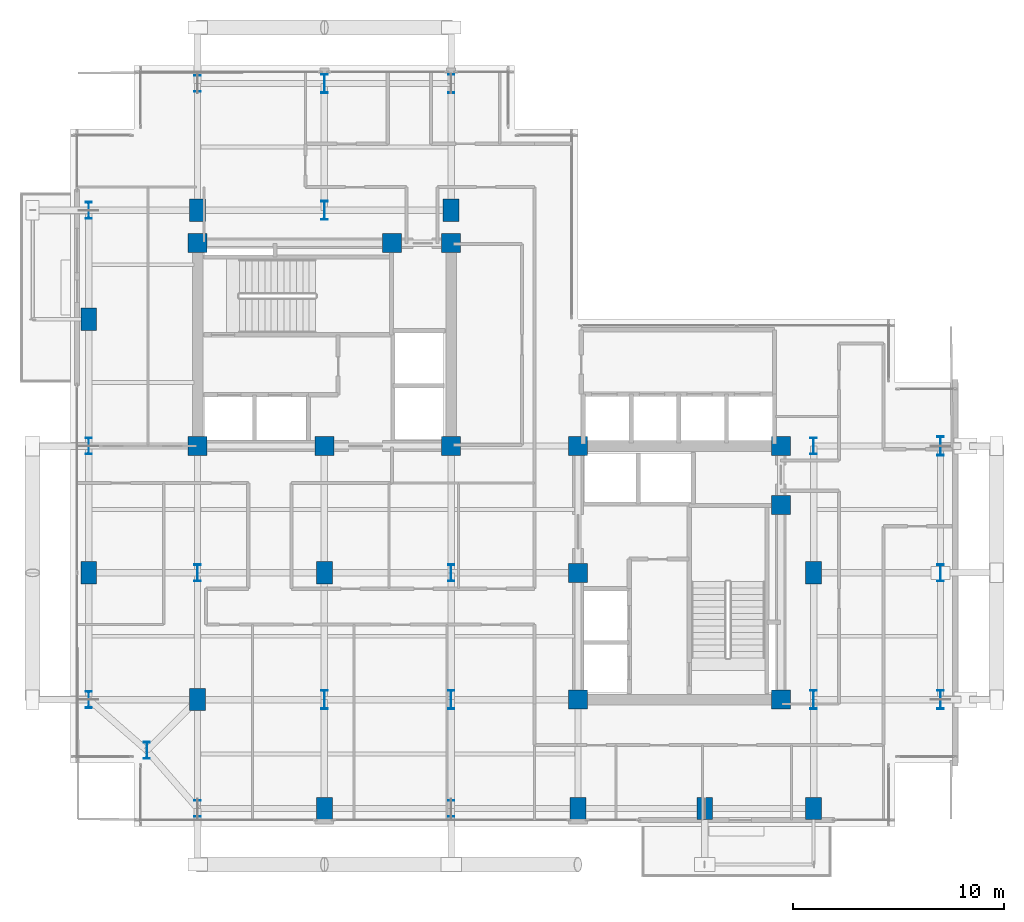
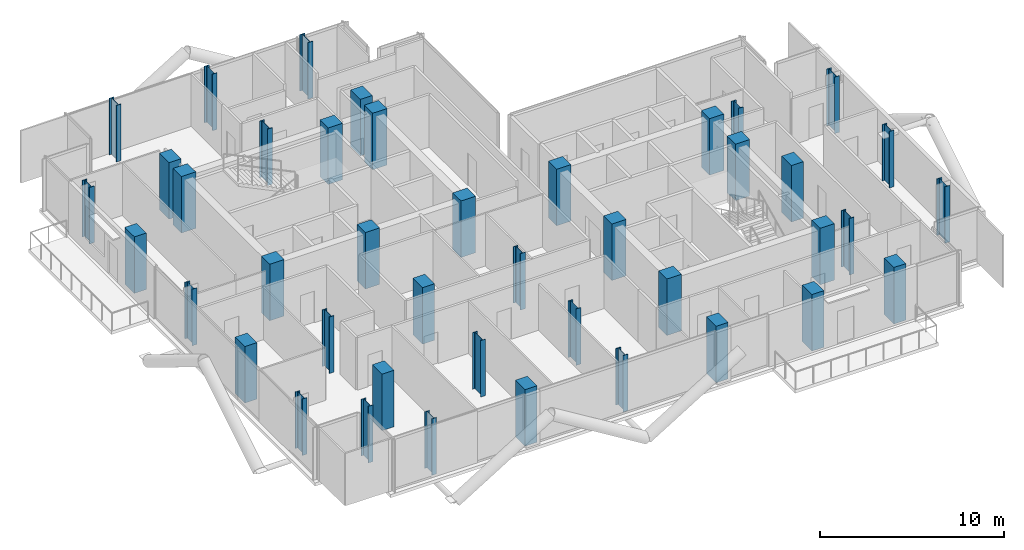
# One storey, part 1 of 26: 42 columns.
"""IFC4 building model written with IfcOpenShell, lengths in metres."""

from ifc_helpers import new_model, si_unit, direction, frame, origin, origin_2d, place, context, subcontext, project, spatial, rectangle, i_section, extrude, material, material_profile, profile_set, type_object, element, save


model = new_model("IFC4")

# Units and contexts
model_context = context("Model", 3, precision=1e-05, world=origin(), true_north=direction((0.0, 1.0)))
body_context = subcontext(model_context, "Body", "Model", "MODEL_VIEW")
ifc_project = project(units=[si_unit("LENGTHUNIT", "METRE"), si_unit("AREAUNIT", "SQUARE_METRE"), si_unit("VOLUMEUNIT", "CUBIC_METRE"), si_unit("PLANEANGLEUNIT", "RADIAN"), si_unit("MASSUNIT", "GRAM", prefix="KILO"), si_unit("THERMODYNAMICTEMPERATUREUNIT", "KELVIN"), si_unit("POWERUNIT", "WATT")], contexts=[model_context])

# Site, building, storey
site_placement = place(None, origin())
site = spatial("IfcSite", under=ifc_project, at=site_placement, CompositionType="ELEMENT")
building_placement = place(site_placement, origin())
building = spatial("IfcBuilding", under=site, at=building_placement, Name="Svarakhadi Broadcast Tower", CompositionType="ELEMENT")
storey_placement = place(building_placement, frame((0.0, 0.0, 195.449951171875)))
storey = spatial("IfcBuildingStorey", under=building, at=storey_placement, Name="L48", CompositionType="ELEMENT", Elevation=195.449951171875)

# Columns
ifc_material_1 = material(Name="Concrete C50/60 (IS 456 M60)", Category="concrete")
ifc_material_profile_1 = material_profile(ifc_material_1, rectangle(XDim=0.75, YDim=1.050048828125, at=origin_2d()), Name="RC 750x1050")
ifc_profile_set_1 = profile_set([ifc_material_profile_1], Name="Concrete C50/60 (IS 456 M60)")
column_type_1 = type_object("IfcColumnType", Name="Col_RC750", PredefinedType="COLUMN", material=ifc_profile_set_1)
for number, where, z_axis, x_axis, name in (
    (1, (0.85009765625, 12.0, 0.0), (0.0, 0.0, 1.0), (1.0, 0.0, 0.0), "L48 Column G04"),
    (2, (0.85009765625, 24.0, 0.0), (0.0, 0.0, 1.0), (1.0, 0.0, 0.0), "L48 Column G06"),
    (3, (6.0, 6.0, 0.0), (0.0, 0.0, 1.0), (1.0, 0.0, 0.0), "L48 Column G12"),
    (4, (6.0, 29.14990234375, 0.0), (0.0, 0.0, 1.0), (1.0, 0.0, 0.0), "L48 Column G14"),
    (5, (12.0, 0.85009765625, 0.0), (0.0, 0.0, 1.0), (1.0, 0.0, 0.0), "L48 Column G18"),
    (6, (12.0, 12.0, 0.0), (0.0, 0.0, 1.0), (1.0, 0.0, 0.0), "L48 Column G20"),
    (7, (18.0, 29.14990234375, 0.0), (0.0, 0.0, 1.0), (1.0, 0.0, 0.0), "L48 Column G28"),
    (8, (24.0, 0.85009765625, 0.0), (0.0, 0.0, 1.0), (1.0, 0.0, 0.0), "L48 Column G32"),
    (9, (30.0, 0.85009765625, 0.0), (0.0, 0.0, 1.0), (1.0, 0.0, 0.0), "L48 Column G36"),
    (10, (35.14990234375, 0.85009765625, 0.0), (0.0, 0.0, 1.0), (1.0, 0.0, 0.0), "L48 Column G38"),
    (11, (35.14990234375, 12.0, 0.0), (0.0, 0.0, 1.0), (1.0, 0.0, 0.0), "L48 Column G40"),
):
    element("IfcColumn", number, at=place(storey_placement, frame(where, z_axis=z_axis, x_axis=x_axis)), inside=storey, type_object=column_type_1, Name=name, PredefinedType="COLUMN", context=body_context, shape_type="SweptSolid", body=[
        extrude(rectangle(XDim=0.75, YDim=1.050048828125, at=origin_2d()), origin(), (0.0, 0.0, 1.0), 3.75),
    ])
ifc_material_profile_2 = material_profile(ifc_material_1, rectangle(XDim=0.89990234375, YDim=0.89990234375, at=origin_2d()), Name="RC 900x900")
ifc_profile_set_2 = profile_set([ifc_material_profile_2], Name="Concrete C50/60 (IS 456 M60)")
column_type_2 = type_object("IfcColumnType", Name="Col_RC900", PredefinedType="COLUMN", material=ifc_profile_set_2)
for number, where, z_axis, x_axis, name in (
    (12, (6.0, 18.0, 0.0), (0.0, 0.0, 1.0), (1.0, 0.0, 0.0), "L48 Column CW1"),
    (13, (12.0, 18.0, 0.0), (0.0, 0.0, 1.0), (1.0, 0.0, 0.0), "L48 Column CW2"),
    (14, (18.0, 18.0, 0.0), (0.0, 0.0, 1.0), (1.0, 0.0, 0.0), "L48 Column CW3"),
    (15, (6.0, 27.60009765625, 0.0), (0.0, 0.0, 1.0), (1.0, 0.0, 0.0), "L48 Column CW4"),
    (16, (15.199951171875, 27.60009765625, 0.0), (0.0, 0.0, 1.0), (1.0, 0.0, 0.0), "L48 Column CW5"),
    (17, (18.0, 27.60009765625, 0.0), (0.0, 0.0, 1.0), (1.0, 0.0, 0.0), "L48 Column CW6"),
    (18, (24.0, 6.0, 0.0), (0.0, 0.0, 1.0), (1.0, 0.0, 0.0), "L48 Column CE1"),
    (19, (24.0, 12.0, 0.0), (0.0, 0.0, 1.0), (1.0, 0.0, 0.0), "L48 Column CE2"),
    (20, (24.0, 18.0, 0.0), (0.0, 0.0, 1.0), (1.0, 0.0, 0.0), "L48 Column CE3"),
    (21, (33.60009765625, 6.0, 0.0), (0.0, 0.0, 1.0), (1.0, 0.0, 0.0), "L48 Column CE4"),
    (22, (33.60009765625, 15.199951171875, 0.0), (0.0, 0.0, 1.0), (1.0, 0.0, 0.0), "L48 Column CE5"),
    (23, (33.60009765625, 18.0, 0.0), (0.0, 0.0, 1.0), (1.0, 0.0, 0.0), "L48 Column CE6"),
):
    element("IfcColumn", number, at=place(storey_placement, frame(where, z_axis=z_axis, x_axis=x_axis)), inside=storey, type_object=column_type_2, Name=name, PredefinedType="COLUMN", context=body_context, shape_type="SweptSolid", body=[
        extrude(rectangle(XDim=0.89990234375, YDim=0.89990234375, at=origin_2d()), origin(), (0.0, 0.0, 1.0), 3.75),
    ])
ifc_material_2 = material(Name="Steel S460ML (IS 2062 E450BR)", Category="steel")
ifc_material_profile_3 = material_profile(ifc_material_2, i_section(OverallWidth=0.300048828125, OverallDepth=0.800048828125, WebThickness=0.017578125, FlangeThickness=0.032958984375, FilletRadius=0.030029296875, at=origin_2d()), Name="WPB 800x300x262")
ifc_profile_set_3 = profile_set([ifc_material_profile_3], Name="Steel S460ML (IS 2062 E450BR)")
column_type_3 = type_object("IfcColumnType", Name="Col_WPB800", PredefinedType="COLUMN", material=ifc_profile_set_3)
for number, where, z_axis, x_axis, name in (
    (24, (3.60009765625, 3.60009765625, 0.0), (0.0, 0.0, 1.0), (1.0, 0.0, 0.0), "L48 Column G01"),
    (25, (0.85009765625, 6.0, 0.0), (0.0, 0.0, 1.0), (1.0, 0.0, 0.0), "L48 Column G03"),
    (26, (0.85009765625, 18.0, 0.0), (0.0, 0.0, 1.0), (1.0, 0.0, 0.0), "L48 Column G05"),
    (27, (0.85009765625, 29.14990234375, 0.0), (0.0, 0.0, 1.0), (1.0, 0.0, 0.0), "L48 Column G07"),
    (28, (6.0, 0.85009765625, 0.0), (0.0, 0.0, 1.0), (1.0, 0.0, 0.0), "L48 Column G11"),
    (29, (6.0, 12.0, 0.0), (0.0, 0.0, 1.0), (1.0, 0.0, 0.0), "L48 Column G13"),
    (30, (6.0, 35.14990234375, 0.0), (0.0, 0.0, 1.0), (1.0, 0.0, 0.0), "L48 Column G15"),
    (31, (18.0, 0.85009765625, 0.0), (0.0, 0.0, 1.0), (1.0, 0.0, 0.0), "L48 Column G25"),
    (32, (18.0, 12.0, 0.0), (0.0, 0.0, 1.0), (1.0, 0.0, 0.0), "L48 Column G27"),
    (33, (35.14990234375, 18.0, 0.0), (0.0, 0.0, 1.0), (1.0, 0.0, 0.0), "L48 Column G41"),
    (34, (41.14990234375, 12.0, 0.0), (0.0, 0.0, 1.0), (1.0, 0.0, 0.0), "L48 Column G45"),
):
    element("IfcColumn", number, at=place(storey_placement, frame(where, z_axis=z_axis, x_axis=x_axis)), inside=storey, type_object=column_type_3, Name=name, PredefinedType="COLUMN", context=body_context, shape_type="SweptSolid", body=[
        extrude(i_section(OverallWidth=0.300048828125, OverallDepth=0.800048828125, WebThickness=0.017578125, FlangeThickness=0.032958984375, FilletRadius=0.030029296875, at=origin_2d()), origin(), (0.0, 0.0, 1.0), 3.75),
    ])
ifc_material_profile_4 = material_profile(ifc_material_2, i_section(OverallWidth=0.300048828125, OverallDepth=0.89990234375, WebThickness=0.0185546875, FlangeThickness=0.034912109375, FilletRadius=0.030029296875, at=origin_2d()), Name="WPB 900x300x291")
ifc_profile_set_4 = profile_set([ifc_material_profile_4], Name="Steel S460ML (IS 2062 E450BR)")
column_type_4 = type_object("IfcColumnType", Name="Col_WPB900", PredefinedType="COLUMN", material=ifc_profile_set_4)
for number, where, z_axis, x_axis, name in (
    (35, (12.0, 6.0, 0.0), (0.0, 0.0, 1.0), (1.0, 0.0, 0.0), "L48 Column G19"),
    (36, (12.0, 29.14990234375, 0.0), (0.0, 0.0, 1.0), (1.0, 0.0, 0.0), "L48 Column G21"),
    (37, (12.0, 35.14990234375, 0.0), (0.0, 0.0, 1.0), (1.0, 0.0, 0.0), "L48 Column G22"),
    (38, (18.0, 6.0, 0.0), (0.0, 0.0, 1.0), (1.0, 0.0, 0.0), "L48 Column G26"),
    (39, (18.0, 35.14990234375, 0.0), (0.0, 0.0, 1.0), (1.0, 0.0, 0.0), "L48 Column G29"),
    (40, (35.14990234375, 6.0, 0.0), (0.0, 0.0, 1.0), (1.0, 0.0, 0.0), "L48 Column G39"),
    (41, (41.14990234375, 6.0, 0.0), (0.0, 0.0, 1.0), (1.0, 0.0, 0.0), "L48 Column G44"),
    (42, (41.14990234375, 18.0, 0.0), (0.0, 0.0, 1.0), (1.0, 0.0, 0.0), "L48 Column G46"),
):
    element("IfcColumn", number, at=place(storey_placement, frame(where, z_axis=z_axis, x_axis=x_axis)), inside=storey, type_object=column_type_4, Name=name, PredefinedType="COLUMN", context=body_context, shape_type="SweptSolid", body=[
        extrude(i_section(OverallWidth=0.300048828125, OverallDepth=0.89990234375, WebThickness=0.0185546875, FlangeThickness=0.034912109375, FilletRadius=0.030029296875, at=origin_2d()), origin(), (0.0, 0.0, 1.0), 3.75),
    ])

save(model, "model.ifc")
